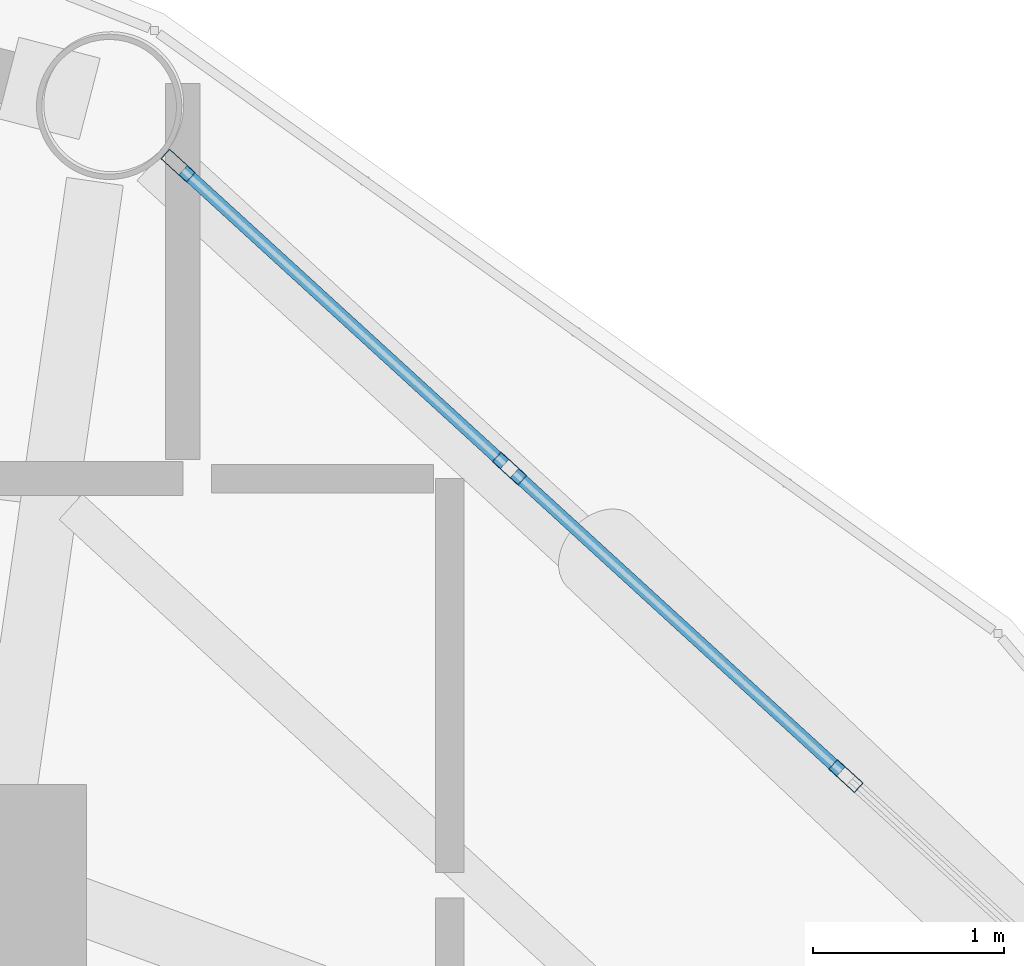
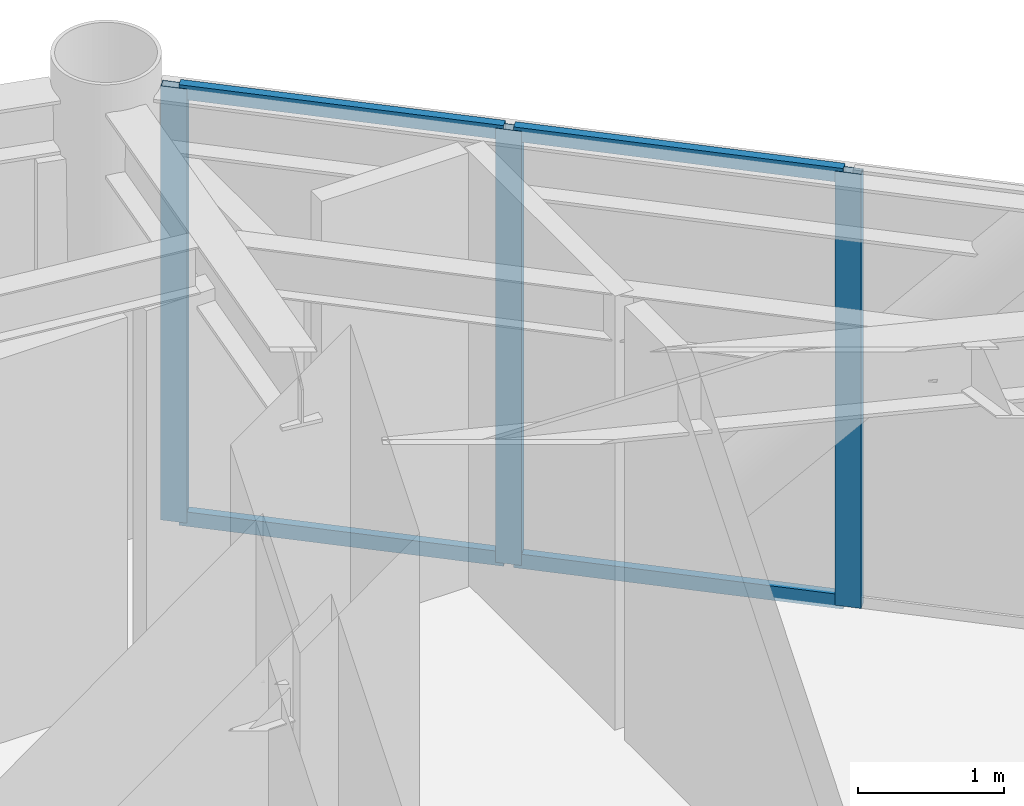
# One storey, part 18 of 25: 7 members, 1 element without a shape of its own.
"""IFC4 building model written with IfcOpenShell, lengths in metres."""

import ifcopenshell
import ifcopenshell.guid

model = None  # the IFC model being written
_history = None  # IfcOwnerHistory: only IFC2X3 demands one
_inside = {}  # id of a spatial element -> (the spatial element, [elements in it])
_under = {}  # id of a project, library or spatial element -> (it, [spatial elements below it])
_declared = {}  # id of a project -> (the project, [libraries it declares])
_typed = {}  # id of a type object -> (the type object, [elements of that type])
_made_of = {}  # id of a material, layer set ... -> (it, [elements and type objects made of it])


def new_model(schema):
    """Start an empty IFC model of exactly this schema.

    Asked for "IFC4X3", IfcOpenShell would pick the latest addendum, in which some entities
    have other attributes; the version numbers below select the first issue.
    IFC2X3 requires an IfcOwnerHistory on every rooted entity: one is made here for all.
    """
    global model, _history
    if schema == "IFC4X3":
        model = ifcopenshell.file(schema_version=(4, 3, 0, 0))
    else:
        model = ifcopenshell.file(schema=schema)
    _inside.clear()
    _under.clear()
    _declared.clear()
    _typed.clear()
    _made_of.clear()
    _history = None
    if model.schema == "IFC2X3":
        org = make("IfcOrganization", Name="unknown")
        user = make(
            "IfcPersonAndOrganization",
            ThePerson=make("IfcPerson", FamilyName="unknown"),
            TheOrganization=org,
        )
        app = make(
            "IfcApplication",
            ApplicationDeveloper=org,
            Version="unknown",
            ApplicationFullName="unknown",
            ApplicationIdentifier="unknown",
        )
        _history = make(
            "IfcOwnerHistory",
            OwningUser=user,
            OwningApplication=app,
            ChangeAction="ADDED",
            CreationDate=0,
        )
    return model


def make(cls, **values):
    """One entity of the class cls with the attributes given. An attribute that is None is left unset."""
    return model.create_entity(
        cls, **{name: value for name, value in values.items() if value is not None}
    )


def rooted(cls, **values):
    """An entity with a GlobalId (a new one), such as an element, a storey or a relation."""
    return make(cls, GlobalId=ifcopenshell.guid.new(), OwnerHistory=_history, **values)


def si_unit(unit_type, name, prefix=None):
    """IfcSIUnit, for example si_unit("LENGTHUNIT", "METRE", prefix="MILLI")."""
    return make("IfcSIUnit", UnitType=unit_type, Prefix=prefix, Name=name)


def assignment(units):
    """IfcUnitAssignment: the units of a project."""
    return None if units is None else make("IfcUnitAssignment", Units=units)


def point(xyz):
    """IfcCartesianPoint."""
    return None if xyz is None else make("IfcCartesianPoint", Coordinates=xyz)


def direction(xyz):
    """IfcDirection."""
    return None if xyz is None else make("IfcDirection", DirectionRatios=xyz)


def frame(location, z_axis=None, x_axis=None):
    """IfcAxis2Placement3D, a coordinate frame: its origin and axes. An axis left out is left unset."""
    return make(
        "IfcAxis2Placement3D",
        Location=point(location),
        Axis=direction(z_axis),
        RefDirection=direction(x_axis),
    )


def frame_2d(location, x_axis=None):
    """IfcAxis2Placement2D, a coordinate frame in the plane: its origin and x axis."""
    return make(
        "IfcAxis2Placement2D", Location=point(location), RefDirection=direction(x_axis)
    )


def origin():
    """The frame at (0, 0, 0) with its axes left unset."""
    return frame((0.0, 0.0, 0.0))


def origin_2d():
    """The frame at (0, 0) in the plane with its x axis left unset."""
    return frame_2d((0.0, 0.0))


def place(relative_to, where):
    """IfcLocalPlacement: puts the frame where relative to a parent placement (None: the world)."""
    return make(
        "IfcLocalPlacement", PlacementRelTo=relative_to, RelativePlacement=where
    )


def context(
    kind, dimensions, precision=None, world=None, true_north=None, identifier=None
):
    """IfcGeometricRepresentationContext, for example the 3D "Model" context."""
    return make(
        "IfcGeometricRepresentationContext",
        ContextIdentifier=identifier,
        ContextType=kind,
        CoordinateSpaceDimension=dimensions,
        Precision=precision,
        WorldCoordinateSystem=world,
        TrueNorth=true_north,
    )


def subcontext(parent, identifier, kind, view, scale=None):
    """IfcGeometricRepresentationSubContext, for example "Body" below "Model"."""
    return make(
        "IfcGeometricRepresentationSubContext",
        ContextIdentifier=identifier,
        ContextType=kind,
        ParentContext=parent,
        TargetScale=scale,
        TargetView=view,
    )


def project(units=None, contexts=None):
    """IfcProject with its units and contexts."""
    return rooted(
        "IfcProject",
        Name="project",
        RepresentationContexts=contexts,
        UnitsInContext=assignment(units),
    )


def spatial(cls, under=None, at=None, **own):
    """A site, building, storey or space (cls), placed at a placement, below another one or the project."""
    s = rooted(cls, ObjectPlacement=at, **own)
    if under is not None:
        _under.setdefault(under.id(), (under, []))[1].append(s)
    return s


def profile(cls, at=None, kind="AREA", **sizes):
    """A parametric profile (cls). Its sizes go by their IFC names, for example OverallWidth=200.0."""
    return make(cls, ProfileType=kind, Position=at, **sizes)


def hollow_rectangle(**sizes):
    """IfcRectangleHollowProfileDef."""
    return profile("IfcRectangleHollowProfileDef", **sizes)


def extrude(swept, where, along, depth):
    """IfcExtrudedAreaSolid: the profile swept, set in the frame where, extruded along a direction by depth."""
    return make(
        "IfcExtrudedAreaSolid",
        SweptArea=swept,
        Position=where,
        ExtrudedDirection=direction(along),
        Depth=depth,
    )


def shape(context_of_items, identifier, shape_type, items):
    """IfcShapeRepresentation: the items that make up one representation, for example the "Body"."""
    return make(
        "IfcShapeRepresentation",
        ContextOfItems=context_of_items,
        RepresentationIdentifier=identifier,
        RepresentationType=shape_type,
        Items=items,
    )


def material(Name=None, Category=None):
    """IfcMaterial."""
    return make("IfcMaterial", Name=Name, Category=Category)


def layer(
    of_material, thickness, ventilated=None, Name=None, Category=None, Priority=None
):
    """IfcMaterialLayer: one layer of a wall or slab, of a material (None: an air gap)."""
    return make(
        "IfcMaterialLayer",
        Material=of_material,
        LayerThickness=thickness,
        IsVentilated=ventilated,
        Name=Name,
        Category=Category,
        Priority=Priority,
    )


def layer_set(layers, Name=None):
    """IfcMaterialLayerSet."""
    return make("IfcMaterialLayerSet", MaterialLayers=layers, LayerSetName=Name)


def material_profile(
    of_material, cross_section, Name=None, Category=None, Priority=None
):
    """IfcMaterialProfile: a cross section and its material."""
    return make(
        "IfcMaterialProfile",
        Name=Name,
        Material=of_material,
        Profile=cross_section,
        Priority=Priority,
        Category=Category,
    )


def profile_set(profiles, Name=None, composite=None):
    """IfcMaterialProfileSet."""
    return make(
        "IfcMaterialProfileSet",
        Name=Name,
        MaterialProfiles=profiles,
        CompositeProfile=composite,
    )


def made_of(thing, what):
    """Note that an element or type object is made of a material, layer set ...; save() writes the relation."""
    if what is not None:
        _made_of.setdefault(what.id(), (what, []))[1].append(thing)
    return thing


def type_object(cls, material=None, **own):
    """A type object (cls), such as IfcWallType, which elements share."""
    return made_of(rooted(cls, **own), material)


def element(
    cls,
    number,
    at=None,
    inside=None,
    cuts=None,
    type_object=None,
    material=None,
    context=None,
    identifier="Body",
    shape_type=None,
    held_by="IfcProductDefinitionShape",
    body=None,
    shapes=None,
    **own,
):
    """One element of the class cls, such as IfcWall. Its Tag is "e" and its number.

    at: its placement. inside: the storey or other place that contains it. cuts: it is an
    opening in that element (IfcRelVoidsElement). A single representation is given by context,
    identifier, shape_type and body (its items); several are given by shapes. held_by: the class
    of the entity that holds the representations. save() writes the other relations.
    """
    e = rooted(cls, Tag="e%d" % number, ObjectPlacement=at, **own)
    if body is not None:
        shapes = [shape(context, identifier, shape_type, body)]
    if shapes is not None:
        e.Representation = make(held_by, Representations=shapes)
    if inside is not None:
        _inside.setdefault(inside.id(), (inside, []))[1].append(e)
    if cuts is not None:
        rooted(
            "IfcRelVoidsElement", RelatingBuildingElement=cuts, RelatedOpeningElement=e
        )
    if type_object is not None:
        _typed.setdefault(type_object.id(), (type_object, []))[1].append(e)
    return made_of(e, material)


def aggregate(whole, parts):
    """IfcRelAggregates: a whole, such as a stair, and the parts it consists of."""
    return rooted("IfcRelAggregates", RelatingObject=whole, RelatedObjects=parts)


def save(model, path):
    """Write the relations noted so far, then the file.

    IfcRelAggregates (storeys below a building ...), IfcRelContainedInSpatialStructure (elements
    in a storey), IfcRelDefinesByType, IfcRelAssociatesMaterial and IfcRelDeclares: one each for
    every whole, place, type object, material and project.
    """
    for whole, parts in _under.values():
        aggregate(whole, parts)
    for where, things in _inside.values():
        rooted(
            "IfcRelContainedInSpatialStructure",
            RelatedElements=things,
            RelatingStructure=where,
        )
    for kind, things in _typed.values():
        rooted("IfcRelDefinesByType", RelatedObjects=things, RelatingType=kind)
    for what, things in _made_of.values():
        rooted("IfcRelAssociatesMaterial", RelatedObjects=things, RelatingMaterial=what)
    for by, libraries in _declared.values():
        rooted("IfcRelDeclares", RelatingContext=by, RelatedDefinitions=libraries)
    model.write(path)


model = new_model("IFC4")

# Units and contexts
model_context = context("Model", 3, precision=1e-05, world=origin(), true_north=direction((0.0, 1.0)))
body_context = subcontext(model_context, "Body", "Model", "MODEL_VIEW")
ifc_project = project(units=[si_unit("LENGTHUNIT", "METRE"), si_unit("AREAUNIT", "SQUARE_METRE"), si_unit("VOLUMEUNIT", "CUBIC_METRE"), si_unit("PLANEANGLEUNIT", "RADIAN"), si_unit("MASSUNIT", "GRAM", prefix="KILO")], contexts=[model_context])

# Site, building, storey
site_placement = place(None, origin())
site = spatial("IfcSite", under=ifc_project, at=site_placement, CompositionType="ELEMENT")
building_placement = place(site_placement, origin())
building = spatial("IfcBuilding", under=site, at=building_placement, Name="Varnakorn Sky Granary", CompositionType="ELEMENT")
storey_placement = place(building_placement, frame((0.0, 0.0, 126.60009765625)))
storey = spatial("IfcBuildingStorey", under=building, at=storey_placement, Name="L31", CompositionType="ELEMENT", Elevation=126.60009765625)

# Curtain wall, members
ifc_material = material(Name="Anodised Bronze Aluminium Alloy 6063-T6", Category="aluminium")
ifc_layer = layer(ifc_material, 0.179931640625, Name="Anodised Bronze Aluminium Alloy 6063-T6")
ifc_layer_set = layer_set([ifc_layer], Name="Anodised Bronze Aluminium Alloy 6063-T6")
curtain_wall_type = type_object("IfcCurtainWallType", Name="CW-FRM-2", PredefinedType="USERDEFINED", material=ifc_layer_set)
curtain_wall_placement = place(storey_placement, origin())
curtain_wall = element("IfcCurtainWall", 1, at=curtain_wall_placement, inside=storey, type_object=curtain_wall_type, Name="Unitised Curtain Wall CW4 CW-L31-B02", ObjectType="CURTAIN WALL", PredefinedType="USERDEFINED")
ifc_material_profile_1 = material_profile(ifc_material, hollow_rectangle(XDim=0.070068359375, YDim=0.18505859375, WallThickness=0.00390625, at=origin_2d()), Name="ALU MULL 70x185")
ifc_profile_set_1 = profile_set([ifc_material_profile_1], Name="Anodised Bronze Aluminium Alloy 6063-T6")
member_type_1 = type_object("IfcMemberType", Name="CW-FRM-2-MULL", PredefinedType="MULLION", material=ifc_profile_set_1)
member_1_placement = place(storey_placement, frame((9.375244140625, 16.34033203125, 0.0), z_axis=(0.0, 0.0, 1.0), x_axis=(0.674680923597, 0.738109511749, 0.0)))
member_1 = element("IfcMember", 2, at=member_1_placement, type_object=member_type_1, Name="CW4 mullion 1", PredefinedType="MULLION", context=body_context, shape_type="SweptSolid", body=[
    extrude(hollow_rectangle(XDim=0.070068359375, YDim=0.18505859375, WallThickness=0.00390625, at=origin_2d()), origin(), (0.0, 0.0, 1.0), 3.639892578125),
])
member_2_placement = place(storey_placement, frame((11.11279296875, 14.752197265625, 0.0), z_axis=(0.0, 0.0, 1.0), x_axis=(0.674680923597, 0.738109511749, 0.0)))
member_2 = element("IfcMember", 3, at=member_2_placement, type_object=member_type_1, Name="CW4 mullion 2", PredefinedType="MULLION", context=body_context, shape_type="SweptSolid", body=[
    extrude(hollow_rectangle(XDim=0.070068359375, YDim=0.18505859375, WallThickness=0.00390625, at=origin_2d()), origin(), (0.0, 0.0, 1.0), 3.639892578125),
])
member_3_placement = place(storey_placement, frame((12.8759765625, 13.140380859375, 0.0), z_axis=(0.0, 0.0, 1.0), x_axis=(0.674680923597, 0.738109511749, 0.0)))
member_3 = element("IfcMember", 4, at=member_3_placement, type_object=member_type_1, Name="CW4 mullion 3", PredefinedType="MULLION", context=body_context, shape_type="SweptSolid", body=[
    extrude(hollow_rectangle(XDim=0.070068359375, YDim=0.18505859375, WallThickness=0.00390625, at=origin_2d()), origin(), (0.0, 0.0, 1.0), 3.639892578125),
])
ifc_material_profile_2 = material_profile(ifc_material, hollow_rectangle(XDim=0.06494140625, YDim=0.1201171875, WallThickness=0.00341796875, at=origin_2d()), Name="ALU TRAN 65x120")
ifc_profile_set_2 = profile_set([ifc_material_profile_2], Name="Anodised Bronze Aluminium Alloy 6063-T6")
member_type_2 = type_object("IfcMemberType", Name="CW-FRM-2-TRAN", PredefinedType="USERDEFINED", material=ifc_profile_set_2)
member_4_placement = place(storey_placement, frame((9.401123046875, 16.316650390625, 0.032470703125), z_axis=(0.738142878572, -0.674644418055, 0.0), x_axis=(0.674644418055, 0.738142878572, 0.0)))
member_4 = element("IfcMember", 5, at=member_4_placement, type_object=member_type_2, Name="CW4 transom 1.1", ObjectType="TRANSOM", PredefinedType="USERDEFINED", context=body_context, shape_type="SweptSolid", body=[
    extrude(hollow_rectangle(XDim=0.06494140625, YDim=0.1201171875, WallThickness=0.00341796875, at=origin_2d()), origin(), (0.0, 0.0, 1.0), 2.283935546875),
])
member_5_placement = place(storey_placement, frame((9.401123046875, 16.316650390625, 3.607421875), z_axis=(0.738142878572, -0.674644418055, 0.0), x_axis=(0.674644418055, 0.738142878572, 0.0)))
member_5 = element("IfcMember", 6, at=member_5_placement, type_object=member_type_2, Name="CW4 transom 1.2", ObjectType="TRANSOM", PredefinedType="USERDEFINED", context=body_context, shape_type="SweptSolid", body=[
    extrude(hollow_rectangle(XDim=0.06494140625, YDim=0.1201171875, WallThickness=0.00341796875, at=origin_2d()), origin(), (0.0, 0.0, 1.0), 2.283935546875),
])
member_6_placement = place(storey_placement, frame((11.138671875, 14.728515625, 0.032470703125), z_axis=(0.73808873451, -0.674703653458, 0.0), x_axis=(0.674703653458, 0.73808873451, 0.0)))
member_6 = element("IfcMember", 7, at=member_6_placement, type_object=member_type_2, Name="CW4 transom 2.1", ObjectType="TRANSOM", PredefinedType="USERDEFINED", context=body_context, shape_type="SweptSolid", body=[
    extrude(hollow_rectangle(XDim=0.06494140625, YDim=0.1201171875, WallThickness=0.00341796875, at=origin_2d()), origin(), (0.0, 0.0, 1.0), 2.31884765625),
])
member_7_placement = place(storey_placement, frame((11.138671875, 14.728515625, 3.607421875), z_axis=(0.73808873451, -0.674703653458, 0.0), x_axis=(0.674703653458, 0.73808873451, 0.0)))
member_7 = element("IfcMember", 8, at=member_7_placement, type_object=member_type_2, Name="CW4 transom 2.2", ObjectType="TRANSOM", PredefinedType="USERDEFINED", context=body_context, shape_type="SweptSolid", body=[
    extrude(hollow_rectangle(XDim=0.06494140625, YDim=0.1201171875, WallThickness=0.00341796875, at=origin_2d()), origin(), (0.0, 0.0, 1.0), 2.31884765625),
])
aggregate(curtain_wall, [member_1, member_2, member_3, member_4, member_5, member_6, member_7])

save(model, "model.ifc")
